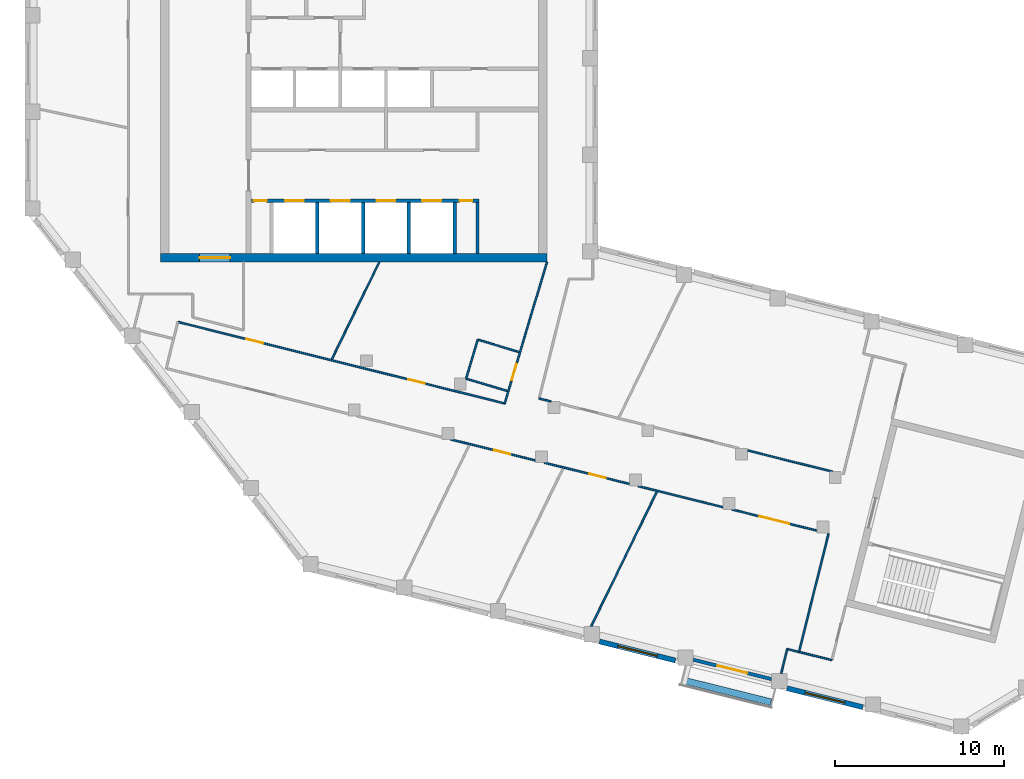
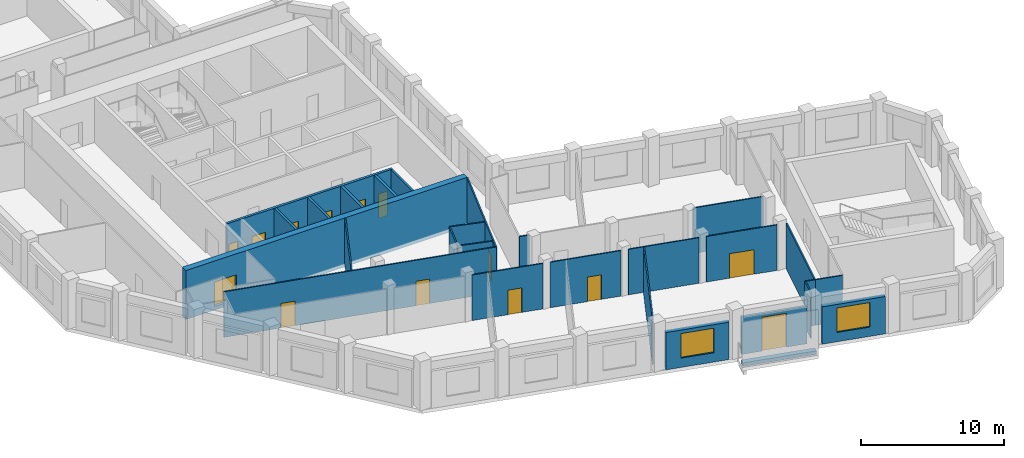
# One storey, part 3 of 8: 28 walls, 14 doors, 2 windows, 16 openings.
"""IFC4 building model written with IfcOpenShell, lengths in metres."""

from ifc_helpers import new_model, si_unit, direction, frame, frame_2d, origin, place, context, subcontext, project, spatial, rectangle, extrude, material, layer, layer_set, type_object, element, fill, save


model = new_model("IFC4")

# Units and contexts
model_context = context("Model", 3, precision=1e-05, world=origin(), true_north=direction((0.0, 1.0)))
body_context = subcontext(model_context, "Body", "Model", "MODEL_VIEW")
ifc_project = project(units=[si_unit("LENGTHUNIT", "METRE"), si_unit("AREAUNIT", "SQUARE_METRE"), si_unit("VOLUMEUNIT", "CUBIC_METRE"), si_unit("PLANEANGLEUNIT", "RADIAN"), si_unit("MASSUNIT", "GRAM", prefix="KILO")], contexts=[model_context])

# Site, building, storey
site_placement = place(None, origin())
site = spatial("IfcSite", under=ifc_project, at=site_placement, CompositionType="ELEMENT")
building_placement = place(site_placement, origin())
building = spatial("IfcBuilding", under=site, at=building_placement, Name="Meshkara Civic Tower", CompositionType="ELEMENT")
storey_placement = place(building_placement, frame((0.0, 0.0, 366.60009765625)))
storey = spatial("IfcBuildingStorey", under=building, at=storey_placement, Name="L84", CompositionType="ELEMENT", Elevation=366.60009765625)

# Wall
ifc_material_1 = material(Name="Blockwork", Category="masonry")
ifc_layer_1 = layer(ifc_material_1, 0.14990234375)
ifc_layer_set_1 = layer_set([ifc_layer_1], Name="Core partition 150")
wall_type_1 = type_object("IfcWallType", Name="Core partition 150", PredefinedType="PARTITIONING", material=ifc_layer_set_1)
wall_1_placement = place(storey_placement, frame((26.699951171875, 14.60009765625, 0.0), z_axis=(0.0, 0.0, 1.0), x_axis=(0.0, 1.0, 0.0)))
element("IfcWall", 1, at=wall_1_placement, inside=storey, type_object=wall_type_1, Name="L84-C025", PredefinedType="PARTITIONING", context=body_context, shape_type="SweptSolid", body=[
    extrude(rectangle(XDim=3.0, YDim=0.14990234375, at=frame_2d((1.5, 0.0))), origin(), (0.0, 0.0, 1.0), 3.89990234375),
])

# Wall, opening, door
ifc_material_2 = material(Name="Concrete C50", Category="concrete")
ifc_layer_2 = layer(ifc_material_2, 0.5)
ifc_layer_set_2 = layer_set([ifc_layer_2], Name="Core ring wall 500 C50")
wall_type_2 = type_object("IfcWallType", Name="Core ring wall 500 C50", PredefinedType="SHEAR", material=ifc_layer_set_2)
wall_2_placement = place(storey_placement, frame((8.0, 14.35009765625, -0.300048828125), z_axis=(0.0, 0.0, 1.0), x_axis=(1.0, 0.0, 0.0)))
wall_2 = element("IfcWall", 2, at=wall_2_placement, inside=storey, type_object=wall_type_2, Name="L84-C001", PredefinedType="SHEAR", context=body_context, shape_type="SweptSolid", body=[
    extrude(rectangle(XDim=22.800048828125, YDim=0.5, at=frame_2d((11.39990234375, 0.0))), origin(), (0.0, 0.0, 1.0), 4.199951171875),
])
opening_1_placement = place(wall_2_placement, frame((2.300048828125, 0.0, 0.300048828125)))
opening_1 = element("IfcOpeningElement", 3, at=opening_1_placement, cuts=wall_2, Name="Opening L84-K023", PredefinedType="OPENING", context=body_context, shape_type="SweptSolid", body=[
    extrude(rectangle(XDim=1.800048828125, YDim=2.10009765625, at=frame_2d((0.89990234375, 1.050048828125))), frame((0.0, 0.260009765625, 0.0), z_axis=(0.0, -1.0, 0.0), x_axis=(1.0, 0.0, 0.0)), (0.0, 0.0, 1.0), 0.52001953125),
])
ifc_material_3 = material(Name="Fire-rated door leaf in steel frame", Category="steel")
door_type_1 = type_object("IfcDoorType", Name="Core double door 1800 EI 60", OperationType="DOUBLE_DOOR_SINGLE_SWING", PredefinedType="DOOR", material=ifc_material_3)
door_1_placement = place(opening_1_placement, origin())
door_1 = element("IfcDoor", 4, at=door_1_placement, inside=storey, type_object=door_type_1, Name="L84-K023", OperationType="DOUBLE_DOOR_SINGLE_SWING", OverallHeight=2.10009765625, OverallWidth=1.800048828125, PredefinedType="DOOR", context=body_context, shape_type="SweptSolid", body=[
    extrude(rectangle(XDim=1.800048828125, YDim=2.10009765625, at=frame_2d((0.89990234375, 1.050048828125))), frame((0.0, 0.02490234375, 0.0), z_axis=(0.0, -1.0, 0.0), x_axis=(1.0, 0.0, 0.0)), (0.0, 0.0, 1.0), 0.050048828125),
])
fill(opening_1, door_1)

# Wall, openings, doors
ifc_material_4 = material(Name="Corridor wall 100")
ifc_layer_3 = layer(ifc_material_4, 0.10009765625)
ifc_layer_set_3 = layer_set([ifc_layer_3], Name="Corridor wall 100")
wall_type_3 = type_object("IfcWallType", Name="Corridor wall 100", PredefinedType="PARTITIONING", material=ifc_layer_set_3)
wall_3_placement = place(storey_placement, frame((9.01708984375, 10.55810546875, 0.0), z_axis=(0.0, 0.0, 1.0), x_axis=(0.970297621765, -0.241914293082, 0.0)))
wall_3 = element("IfcWall", 5, at=wall_3_placement, inside=storey, type_object=wall_type_3, Name="L84-W007", PredefinedType="PARTITIONING", context=body_context, shape_type="SweptSolid", body=[
    extrude(rectangle(XDim=19.87939453125, YDim=0.10009765625, at=frame_2d((9.939697265625, 0.0))), origin(), (0.0, 0.0, 1.0), 3.89990234375),
])
opening_2_placement = place(wall_3_placement, frame((4.179931640625, 0.0, 0.0)))
opening_2 = element("IfcOpeningElement", 6, at=opening_2_placement, cuts=wall_3, Name="Opening L84-D007", PredefinedType="OPENING", context=body_context, shape_type="SweptSolid", body=[
    extrude(rectangle(XDim=1.0, YDim=2.10009765625, at=frame_2d((0.5, 1.050048828125))), frame((0.0, 0.06005859375, 0.0), z_axis=(0.0, -1.0, 0.0), x_axis=(1.0, 0.0, 0.0)), (0.0, 0.0, 1.0), 0.1201171875),
])
opening_3_placement = place(wall_3_placement, frame((14.01806640625, 0.0, 0.0)))
opening_3 = element("IfcOpeningElement", 7, at=opening_3_placement, cuts=wall_3, Name="Opening L84-D009", PredefinedType="OPENING", context=body_context, shape_type="SweptSolid", body=[
    extrude(rectangle(XDim=1.0, YDim=2.10009765625, at=frame_2d((0.5, 1.050048828125))), frame((0.0, 0.06005859375, 0.0), z_axis=(0.0, -1.0, 0.0), x_axis=(1.0, 0.0, 0.0)), (0.0, 0.0, 1.0), 0.1201171875),
])
ifc_material_5 = material(Name="Door 1000 x 2100")
door_type_2 = type_object("IfcDoorType", Name="Door 1000 x 2100", OperationType="SINGLE_SWING_LEFT", PredefinedType="DOOR", material=ifc_material_5)
door_2_placement = place(opening_2_placement, origin())
door_2 = element("IfcDoor", 8, at=door_2_placement, inside=storey, type_object=door_type_2, Name="L84-D007", OperationType="SINGLE_SWING_RIGHT", OverallHeight=2.10009765625, OverallWidth=1.0, PredefinedType="DOOR", context=body_context, shape_type="SweptSolid", body=[
    extrude(rectangle(XDim=1.0, YDim=2.10009765625, at=frame_2d((0.5, 1.050048828125))), frame((0.0, 0.02490234375, 0.0), z_axis=(0.0, -1.0, 0.0), x_axis=(1.0, 0.0, 0.0)), (0.0, 0.0, 1.0), 0.050048828125),
])
fill(opening_2, door_2)
door_3_placement = place(opening_3_placement, origin())
door_3 = element("IfcDoor", 9, at=door_3_placement, inside=storey, type_object=door_type_2, Name="L84-D009", OperationType="SINGLE_SWING_LEFT", OverallHeight=2.10009765625, OverallWidth=1.0, PredefinedType="DOOR", context=body_context, shape_type="SweptSolid", body=[
    extrude(rectangle(XDim=1.0, YDim=2.10009765625, at=frame_2d((0.5, 1.050048828125))), frame((0.0, 0.02490234375, 0.0), z_axis=(0.0, -1.0, 0.0), x_axis=(1.0, 0.0, 0.0)), (0.0, 0.0, 1.0), 0.050048828125),
])
fill(opening_3, door_3)

# Wall, opening, door
wall_4_placement = place(storey_placement, frame((25.117919921875, 3.631103515625, 0.0), z_axis=(0.0, 0.0, 1.0), x_axis=(0.970281210621, -0.241980107272, 0.0)))
wall_4 = element("IfcWall", 10, at=wall_4_placement, inside=storey, type_object=wall_type_3, Name="L84-W019", PredefinedType="PARTITIONING", context=body_context, shape_type="SweptSolid", body=[
    extrude(rectangle(XDim=5.170654296875, YDim=0.10009765625, at=frame_2d((2.58544921875, 0.0))), origin(), (0.0, 0.0, 1.0), 3.89990234375),
])
opening_4_placement = place(wall_4_placement, frame((2.62890625, 0.0, 0.0)))
opening_4 = element("IfcOpeningElement", 11, at=opening_4_placement, cuts=wall_4, Name="Opening L84-D003", PredefinedType="OPENING", context=body_context, shape_type="SweptSolid", body=[
    extrude(rectangle(XDim=1.0, YDim=2.10009765625, at=frame_2d((0.5, 1.050048828125))), frame((0.0, 0.06005859375, 0.0), z_axis=(0.0, -1.0, 0.0), x_axis=(1.0, 0.0, 0.0)), (0.0, 0.0, 1.0), 0.1201171875),
])
door_4_placement = place(opening_4_placement, origin())
door_4 = element("IfcDoor", 12, at=door_4_placement, inside=storey, type_object=door_type_2, Name="L84-D003", OperationType="SINGLE_SWING_RIGHT", OverallHeight=2.10009765625, OverallWidth=1.0, PredefinedType="DOOR", context=body_context, shape_type="SweptSolid", body=[
    extrude(rectangle(XDim=1.0, YDim=2.10009765625, at=frame_2d((0.5, 1.050048828125))), frame((0.0, 0.02490234375, 0.0), z_axis=(0.0, -1.0, 0.0), x_axis=(1.0, 0.0, 0.0)), (0.0, 0.0, 1.0), 0.050048828125),
])
fill(opening_4, door_4)

wall_5_placement = place(storey_placement, frame((28.305908203125, 5.7490234375, 0.0), z_axis=(0.0, 0.0, 1.0), x_axis=(0.286170650389, 0.958178667502, 0.0)))
wall_5 = element("IfcWall", 13, at=wall_5_placement, inside=storey, type_object=wall_type_3, Name="L84-W020", PredefinedType="PARTITIONING", context=body_context, shape_type="SweptSolid", body=[
    extrude(rectangle(XDim=8.715576171875, YDim=0.10009765625, at=frame_2d((4.35791015625, 0.0))), origin(), (0.0, 0.0, 1.0), 3.89990234375),
])
opening_5_placement = place(wall_5_placement, frame((1.429931640625, 0.0, 0.0)))
opening_5 = element("IfcOpeningElement", 14, at=opening_5_placement, cuts=wall_5, Name="Opening L84-D010", PredefinedType="OPENING", context=body_context, shape_type="SweptSolid", body=[
    extrude(rectangle(XDim=1.0, YDim=2.10009765625, at=frame_2d((0.5, 1.050048828125))), frame((0.0, 0.06005859375, 0.0), z_axis=(0.0, -1.0, 0.0), x_axis=(1.0, 0.0, 0.0)), (0.0, 0.0, 1.0), 0.1201171875),
])
door_5_placement = place(opening_5_placement, origin())
door_5 = element("IfcDoor", 15, at=door_5_placement, inside=storey, type_object=door_type_2, Name="L84-D010", OperationType="SINGLE_SWING_LEFT", OverallHeight=2.10009765625, OverallWidth=1.0, PredefinedType="DOOR", context=body_context, shape_type="SweptSolid", body=[
    extrude(rectangle(XDim=1.0, YDim=2.10009765625, at=frame_2d((0.5, 1.050048828125))), frame((0.0, 0.02490234375, 0.0), z_axis=(0.0, -1.0, 0.0), x_axis=(1.0, 0.0, 0.0)), (0.0, 0.0, 1.0), 0.050048828125),
])
fill(opening_5, door_5)

wall_6_placement = place(storey_placement, frame((30.64892578125, 2.251953125, 0.0), z_axis=(0.0, 0.0, 1.0), x_axis=(0.970292295429, -0.241935655561, 0.0)))
wall_6 = element("IfcWall", 16, at=wall_6_placement, inside=storey, type_object=wall_type_3, Name="L84-W022", PredefinedType="PARTITIONING", context=body_context, shape_type="SweptSolid", body=[
    extrude(rectangle(XDim=5.170654296875, YDim=0.10009765625, at=frame_2d((2.58544921875, 0.0))), origin(), (0.0, 0.0, 1.0), 3.89990234375),
])
opening_6_placement = place(wall_6_placement, frame((2.72900390625, 0.0, 0.0)))
opening_6 = element("IfcOpeningElement", 17, at=opening_6_placement, cuts=wall_6, Name="Opening L84-D005", PredefinedType="OPENING", context=body_context, shape_type="SweptSolid", body=[
    extrude(rectangle(XDim=1.0, YDim=2.10009765625, at=frame_2d((0.5, 1.050048828125))), frame((0.0, 0.06005859375, 0.0), z_axis=(0.0, -1.0, 0.0), x_axis=(1.0, 0.0, 0.0)), (0.0, 0.0, 1.0), 0.1201171875),
])
door_6_placement = place(opening_6_placement, origin())
door_6 = element("IfcDoor", 18, at=door_6_placement, inside=storey, type_object=door_type_2, Name="L84-D005", OperationType="SINGLE_SWING_LEFT", OverallHeight=2.10009765625, OverallWidth=1.0, PredefinedType="DOOR", context=body_context, shape_type="SweptSolid", body=[
    extrude(rectangle(XDim=1.0, YDim=2.10009765625, at=frame_2d((0.5, 1.050048828125))), frame((0.0, 0.02490234375, 0.0), z_axis=(0.0, -1.0, 0.0), x_axis=(1.0, 0.0, 0.0)), (0.0, 0.0, 1.0), 0.050048828125),
])
fill(opening_6, door_6)

# Walls
wall_7_placement = place(storey_placement, frame((31.0458984375, 5.863037109375, 0.0), z_axis=(0.0, 0.0, 1.0), x_axis=(-0.970299315901, 0.241907497946, 0.0)))
element("IfcWall", 19, at=wall_7_placement, inside=storey, type_object=wall_type_3, Name="L84-W024", PredefinedType="PARTITIONING", context=body_context, shape_type="SweptSolid", body=[
    extrude(rectangle(XDim=0.731689453125, YDim=0.10009765625, at=frame_2d((0.36572265625, 0.0))), origin(), (0.0, 0.0, 1.0), 3.89990234375),
])
wall_8_placement = place(storey_placement, frame((36.179931640625, 0.873046875, 0.0), z_axis=(0.0, 0.0, 1.0), x_axis=(0.970325574738, -0.241802148479, 0.0)))
element("IfcWall", 20, at=wall_8_placement, inside=storey, type_object=wall_type_3, Name="L84-W028", PredefinedType="PARTITIONING", context=body_context, shape_type="SweptSolid", body=[
    extrude(rectangle(XDim=5.16943359375, YDim=0.10009765625, at=frame_2d((2.584716796875, 0.0))), origin(), (0.0, 0.0, 1.0), 3.89990234375),
])

# Wall, opening, door
wall_9_placement = place(storey_placement, frame((41.7119140625, -0.506103515625, 0.0), z_axis=(0.0, 0.0, 1.0), x_axis=(0.970314526579, -0.241846479217, 0.0)))
wall_9 = element("IfcWall", 21, at=wall_9_placement, inside=storey, type_object=wall_type_3, Name="L84-W029", PredefinedType="PARTITIONING", context=body_context, shape_type="SweptSolid", body=[
    extrude(rectangle(XDim=5.16845703125, YDim=0.10009765625, at=frame_2d((2.584228515625, 0.0))), origin(), (0.0, 0.0, 1.0), 3.89990234375),
])
opening_7_placement = place(wall_9_placement, frame((1.679931640625, 0.0, 0.0)))
opening_7 = element("IfcOpeningElement", 22, at=opening_7_placement, cuts=wall_9, Name="Opening L84-D002", PredefinedType="OPENING", context=body_context, shape_type="SweptSolid", body=[
    extrude(rectangle(XDim=1.800048828125, YDim=2.10009765625, at=frame_2d((0.89990234375, 1.050048828125))), frame((0.0, 0.06005859375, 0.0), z_axis=(0.0, -1.0, 0.0), x_axis=(1.0, 0.0, 0.0)), (0.0, 0.0, 1.0), 0.1201171875),
])
ifc_material_6 = material(Name="Door pair 1800 x 2100")
door_type_3 = type_object("IfcDoorType", Name="Door pair 1800 x 2100", OperationType="SINGLE_SWING_LEFT", PredefinedType="DOOR", material=ifc_material_6)
door_7_placement = place(opening_7_placement, origin())
door_7 = element("IfcDoor", 23, at=door_7_placement, inside=storey, type_object=door_type_3, Name="L84-D002", OperationType="DOUBLE_DOOR_SINGLE_SWING", OverallHeight=2.10009765625, OverallWidth=1.800048828125, PredefinedType="DOOR", context=body_context, shape_type="SweptSolid", body=[
    extrude(rectangle(XDim=1.800048828125, YDim=2.10009765625, at=frame_2d((0.89990234375, 1.050048828125))), frame((0.0, 0.02490234375, 0.0), z_axis=(0.0, -1.0, 0.0), x_axis=(1.0, 0.0, 0.0)), (0.0, 0.0, 1.0), 0.050048828125),
])
fill(opening_7, door_7)

# Walls
wall_10_placement = place(storey_placement, frame((45.669921875, -8.9130859375, 0.0), z_axis=(0.0, 0.0, 1.0), x_axis=(0.970307382734, -0.241875139301, 0.0)))
element("IfcWall", 24, at=wall_10_placement, inside=storey, type_object=wall_type_3, Name="L84-W031", PredefinedType="PARTITIONING", context=body_context, shape_type="SweptSolid", body=[
    extrude(rectangle(XDim=2.00048828125, YDim=0.10009765625, at=frame_2d((1.000244140625, 0.0))), origin(), (0.0, 0.0, 1.0), 3.89990234375),
])
wall_11_placement = place(storey_placement, frame((47.412109375, -1.927001953125, 0.0), z_axis=(0.0, 0.0, 1.0), x_axis=(-0.241969116819, -0.970283951483, 0.0)))
element("IfcWall", 25, at=wall_11_placement, inside=storey, type_object=wall_type_3, Name="L84-W032", PredefinedType="PARTITIONING", context=body_context, shape_type="SweptSolid", body=[
    extrude(rectangle(XDim=7.199951171875, YDim=0.10009765625, at=frame_2d((3.60009765625, 0.0))), origin(), (0.0, 0.0, 1.0), 3.89990234375),
])
wall_12_placement = place(storey_placement, frame((47.64111328125, 1.72607421875, 0.0), z_axis=(0.0, 0.0, 1.0), x_axis=(-0.97031439286, 0.241847015712, 0.0)))
element("IfcWall", 26, at=wall_12_placement, inside=storey, type_object=wall_type_3, Name="L84-W034", PredefinedType="PARTITIONING", context=body_context, shape_type="SweptSolid", body=[
    extrude(rectangle(XDim=5.172607421875, YDim=0.10009765625, at=frame_2d((2.58642578125, 0.0))), origin(), (0.0, 0.0, 1.0), 3.89990234375),
])

# Wall, opening, window
ifc_material_7 = material(Name="Insulated infill panel with bronze anodised aluminium cladding", Category="aluminium")
ifc_layer_4 = layer(ifc_material_7, 0.300048828125)
ifc_layer_set_4 = layer_set([ifc_layer_4], Name="EXTERNAL INFILL WALL 300")
wall_type_4 = type_object("IfcWallType", Name="EXTERNAL INFILL WALL 300", PredefinedType="SOLIDWALL", material=ifc_layer_set_4)
wall_13_placement = place(storey_placement, frame((33.89990234375, -8.298095703125, 0.0), z_axis=(0.0, 0.0, 1.0), x_axis=(0.970298093093, -0.241912402618, 0.0)))
wall_13 = element("IfcWall", 27, at=wall_13_placement, inside=storey, type_object=wall_type_4, Name="External wall", PredefinedType="SOLIDWALL", context=body_context, shape_type="SweptSolid", body=[
    extrude(rectangle(XDim=4.609130859375, YDim=0.300048828125, at=frame_2d((2.3046875, 0.0))), origin(), (0.0, 0.0, 1.0), 3.199951171875),
])
opening_8_placement = place(wall_13_placement, frame((1.10498046875, 0.0, 0.800048828125)))
opening_8 = element("IfcOpeningElement", 28, at=opening_8_placement, cuts=wall_13, Name="Opening W7", PredefinedType="OPENING", context=body_context, shape_type="SweptSolid", body=[
    extrude(rectangle(XDim=2.39990234375, YDim=2.10009765625, at=frame_2d((1.199951171875, 1.050048828125))), frame((0.0, 0.159912109375, 0.0), z_axis=(0.0, -1.0, 0.0), x_axis=(1.0, 0.0, 0.0)), (0.0, 0.0, 1.0), 0.320068359375),
])
ifc_material_8 = material(Name="Tinted double glazing", Category="glass")
window_type = type_object("IfcWindowType", Name="WINDOW 2400x2100", PartitioningType="DOUBLE_PANEL_VERTICAL", PredefinedType="WINDOW", material=ifc_material_8)
window_1_placement = place(opening_8_placement, origin())
window_1 = element("IfcWindow", 29, at=window_1_placement, inside=storey, type_object=window_type, Name="Window", OverallHeight=2.10009765625, OverallWidth=2.39990234375, PartitioningType="DOUBLE_PANEL_VERTICAL", PredefinedType="WINDOW", context=body_context, shape_type="SweptSolid", body=[
    extrude(rectangle(XDim=2.39990234375, YDim=2.10009765625, at=frame_2d((1.199951171875, 1.050048828125))), frame((0.0, 0.030029296875, 0.0), z_axis=(0.0, -1.0, 0.0), x_axis=(1.0, 0.0, 0.0)), (0.0, 0.0, 1.0), 0.06005859375),
])
fill(opening_8, window_1)

wall_14_placement = place(storey_placement, frame((44.9609375, -11.055908203125, 0.0), z_axis=(0.0, 0.0, 1.0), x_axis=(0.970298093093, -0.241912402618, 0.0)))
wall_14 = element("IfcWall", 30, at=wall_14_placement, inside=storey, type_object=wall_type_4, Name="External wall", PredefinedType="SOLIDWALL", context=body_context, shape_type="SweptSolid", body=[
    extrude(rectangle(XDim=4.609130859375, YDim=0.300048828125, at=frame_2d((2.3046875, 0.0))), origin(), (0.0, 0.0, 1.0), 3.199951171875),
])
opening_9_placement = place(wall_14_placement, frame((1.10498046875, 0.0, 0.800048828125)))
opening_9 = element("IfcOpeningElement", 31, at=opening_9_placement, cuts=wall_14, Name="Opening W7", PredefinedType="OPENING", context=body_context, shape_type="SweptSolid", body=[
    extrude(rectangle(XDim=2.39990234375, YDim=2.10009765625, at=frame_2d((1.199951171875, 1.050048828125))), frame((0.0, 0.159912109375, 0.0), z_axis=(0.0, -1.0, 0.0), x_axis=(1.0, 0.0, 0.0)), (0.0, 0.0, 1.0), 0.320068359375),
])
window_2_placement = place(opening_9_placement, origin())
window_2 = element("IfcWindow", 32, at=window_2_placement, inside=storey, type_object=window_type, Name="Window", OverallHeight=2.10009765625, OverallWidth=2.39990234375, PartitioningType="DOUBLE_PANEL_VERTICAL", PredefinedType="WINDOW", context=body_context, shape_type="SweptSolid", body=[
    extrude(rectangle(XDim=2.39990234375, YDim=2.10009765625, at=frame_2d((1.199951171875, 1.050048828125))), frame((0.0, 0.030029296875, 0.0), z_axis=(0.0, -1.0, 0.0), x_axis=(1.0, 0.0, 0.0)), (0.0, 0.0, 1.0), 0.06005859375),
])
fill(opening_9, window_2)

# Wall, opening, door
ifc_material_9 = material(Name="Insulated infill panel with bronze anodised aluminium cladding", Category="aluminium")
ifc_layer_5 = layer(ifc_material_9, 0.199951171875)
ifc_layer_set_5 = layer_set([ifc_layer_5], Name="LOGGIA BACK WALL 200")
wall_type_5 = type_object("IfcWallType", Name="LOGGIA BACK WALL 200", PredefinedType="SOLIDWALL", material=ifc_layer_set_5)
wall_15_placement = place(storey_placement, frame((39.424072265625, -9.365966796875, 0.0), z_axis=(0.0, 0.0, 1.0), x_axis=(0.9703108125, -0.241861380019, 0.0)))
wall_15 = element("IfcWall", 33, at=wall_15_placement, inside=storey, type_object=wall_type_5, Name="Loggia wall", PredefinedType="SOLIDWALL", context=body_context, shape_type="SweptSolid", body=[
    extrude(rectangle(XDim=4.771484375, YDim=0.199951171875, at=frame_2d((2.3857421875, 0.0))), origin(), (0.0, 0.0, 1.0), 3.199951171875),
])
opening_10_placement = place(wall_15_placement, frame((1.485107421875, 0.0, 0.0)))
opening_10 = element("IfcOpeningElement", 34, at=opening_10_placement, cuts=wall_15, Name="Opening L84-L002", PredefinedType="OPENING", context=body_context, shape_type="SweptSolid", body=[
    extrude(rectangle(XDim=1.800048828125, YDim=2.89990234375, at=frame_2d((0.89990234375, 1.449951171875))), frame((0.0, 0.10986328125, 0.0), z_axis=(0.0, -1.0, 0.0), x_axis=(1.0, 0.0, 0.0)), (0.0, 0.0, 1.0), 0.219970703125),
])
ifc_material_10 = material(Name="Tinted double glazing", Category="glass")
door_type_4 = type_object("IfcDoorType", Name="LOGGIA DOOR 1800x2900", OperationType="DOUBLE_DOOR_SINGLE_SWING", PredefinedType="DOOR", material=ifc_material_10)
door_8_placement = place(opening_10_placement, origin())
door_8 = element("IfcDoor", 35, at=door_8_placement, inside=storey, type_object=door_type_4, Name="L84-L002", OperationType="DOUBLE_DOOR_SINGLE_SWING", OverallHeight=2.89990234375, OverallWidth=1.800048828125, PredefinedType="DOOR", context=body_context, shape_type="SweptSolid", body=[
    extrude(rectangle(XDim=1.800048828125, YDim=2.89990234375, at=frame_2d((0.89990234375, 1.449951171875))), frame((0.0, 0.02490234375, 0.0), z_axis=(0.0, -1.0, 0.0), x_axis=(1.0, 0.0, 0.0)), (0.0, 0.0, 1.0), 0.050048828125),
])
fill(opening_10, door_8)

# Walls
ifc_material_11 = material(Name="Concrete C40", Category="concrete")
ifc_layer_6 = layer(ifc_material_11, 0.39990234375)
ifc_layer_set_6 = layer_set([ifc_layer_6], Name="PLANTER TRAY")
wall_type_6 = type_object("IfcWallType", Name="PLANTER TRAY", PredefinedType="SOLIDWALL", material=ifc_layer_set_6)
wall_16_placement = place(storey_placement, frame((38.81689453125, -10.5849609375, 0.0), z_axis=(0.0, 0.0, 1.0), x_axis=(0.970270982915, -0.242021114189, 0.0)))
element("IfcWall", 36, at=wall_16_placement, inside=storey, type_object=wall_type_6, Name="Planter", PredefinedType="SOLIDWALL", context=body_context, shape_type="SweptSolid", body=[
    extrude(rectangle(XDim=5.359619140625, YDim=0.39990234375, at=frame_2d((2.6796875, 0.0))), origin(), (0.0, 0.0, 1.0), 0.2998046875),
])
ifc_material_12 = material(Name="Partition 100")
ifc_layer_7 = layer(ifc_material_12, 0.10009765625)
ifc_layer_set_7 = layer_set([ifc_layer_7], Name="Partition 100")
wall_type_7 = type_object("IfcWallType", Name="Partition 100", PredefinedType="PARTITIONING", material=ifc_layer_set_7)
wall_17_placement = place(storey_placement, frame((18.10498046875, 8.35400390625, 0.0), z_axis=(0.0, 0.0, 1.0), x_axis=(0.438424384383, 0.898768078638, 0.0)))
element("IfcWall", 37, at=wall_17_placement, inside=storey, type_object=wall_type_7, Name="L84-W044", PredefinedType="PARTITIONING", context=body_context, shape_type="SweptSolid", body=[
    extrude(rectangle(XDim=6.393310546875, YDim=0.10009765625, at=frame_2d((3.19677734375, 0.0))), origin(), (0.0, 0.0, 1.0), 3.89990234375),
])
wall_18_placement = place(storey_placement, frame((26.030029296875, 7.214111328125, 0.0), z_axis=(0.0, 0.0, 1.0), x_axis=(0.286077381682, 0.958206518288, 0.0)))
element("IfcWall", 38, at=wall_18_placement, inside=storey, type_object=wall_type_7, Name="L84-W046", PredefinedType="PARTITIONING", context=body_context, shape_type="SweptSolid", body=[
    extrude(rectangle(XDim=2.398193359375, YDim=0.10009765625, at=frame_2d((1.19921875, 0.0))), origin(), (0.0, 0.0, 1.0), 3.89990234375),
])
wall_19_placement = place(storey_placement, frame((26.716064453125, 9.511962890625, 0.0), z_axis=(0.0, 0.0, 1.0), x_axis=(0.958168093169, -0.286206053804, 0.0)))
element("IfcWall", 39, at=wall_19_placement, inside=storey, type_object=wall_type_7, Name="L84-W047", PredefinedType="PARTITIONING", context=body_context, shape_type="SweptSolid", body=[
    extrude(rectangle(XDim=2.550537109375, YDim=0.10009765625, at=frame_2d((1.275390625, 0.0))), origin(), (0.0, 0.0, 1.0), 3.89990234375),
])
wall_20_placement = place(storey_placement, frame((28.472900390625, 6.48193359375, 0.0), z_axis=(0.0, 0.0, 1.0), x_axis=(-0.958136712348, 0.286311090338, 0.0)))
element("IfcWall", 40, at=wall_20_placement, inside=storey, type_object=wall_type_7, Name="L84-W049", PredefinedType="PARTITIONING", context=body_context, shape_type="SweptSolid", body=[
    extrude(rectangle(XDim=2.549560546875, YDim=0.10009765625, at=frame_2d((1.27490234375, 0.0))), origin(), (0.0, 0.0, 1.0), 3.89990234375),
])
wall_21_placement = place(storey_placement, frame((33.39697265625, -7.425048828125, 0.0), z_axis=(0.0, 0.0, 1.0), x_axis=(0.43833946726, 0.898809496747, 0.0)))
element("IfcWall", 41, at=wall_21_placement, inside=storey, type_object=wall_type_7, Name="L84-W050", PredefinedType="PARTITIONING", context=body_context, shape_type="SweptSolid", body=[
    extrude(rectangle(XDim=8.858642578125, YDim=0.10009765625, at=frame_2d((4.42919921875, 0.0))), origin(), (0.0, 0.0, 1.0), 3.89990234375),
])
wall_22_placement = place(storey_placement, frame((44.616943359375, -10.18310546875, 0.0), z_axis=(0.0, 0.0, 1.0), x_axis=(0.242110761362, 0.970248617228, 0.0)))
element("IfcWall", 42, at=wall_22_placement, inside=storey, type_object=wall_type_7, Name="L84-W052", PredefinedType="PARTITIONING", context=body_context, shape_type="SweptSolid", body=[
    extrude(rectangle(XDim=1.4873046875, YDim=0.10009765625, at=frame_2d((0.74365234375, 0.0))), origin(), (0.0, 0.0, 1.0), 3.89990234375),
])
wall_23_placement = place(storey_placement, frame((44.97705078125, -8.739990234375, 0.0), z_axis=(0.0, 0.0, 1.0), x_axis=(0.970202439735, -0.242295740641, 0.0)))
element("IfcWall", 43, at=wall_23_placement, inside=storey, type_object=wall_type_7, Name="L84-W053", PredefinedType="PARTITIONING", context=body_context, shape_type="SweptSolid", body=[
    extrude(rectangle(XDim=0.718505859375, YDim=0.10009765625, at=frame_2d((0.359375, 0.0))), origin(), (0.0, 0.0, 1.0), 3.89990234375),
])

# Wall, openings, doors
ifc_material_13 = material(Name="Concrete C40/50", Category="concrete")
ifc_layer_8 = layer(ifc_material_13, 0.199951171875)
ifc_layer_set_8 = layer_set([ifc_layer_8], Name="Shaft wall 200 C40/50")
wall_type_8 = type_object("IfcWallType", Name="Shaft wall 200 C40/50", PredefinedType="SOLIDWALL", material=ifc_layer_set_8)
wall_24_placement = place(storey_placement, frame((13.35009765625, 17.699951171875, 0.0), z_axis=(0.0, 0.0, 1.0), x_axis=(1.0, 0.0, 0.0)))
wall_24 = element("IfcWall", 44, at=wall_24_placement, inside=storey, type_object=wall_type_8, Name="L84-C005", PredefinedType="SOLIDWALL", context=body_context, shape_type="SweptSolid", body=[
    extrude(rectangle(XDim=13.4248046875, YDim=0.199951171875, at=frame_2d((6.71240234375, 0.0))), origin(), (0.0, 0.0, 1.0), 3.89990234375),
])
opening_11_placement = place(wall_24_placement, frame((2.0, 0.0, 0.0)))
opening_11 = element("IfcOpeningElement", 45, at=opening_11_placement, cuts=wall_24, Name="Opening L84-K001", PredefinedType="OPENING", context=body_context, shape_type="SweptSolid", body=[
    extrude(rectangle(XDim=1.10009765625, YDim=2.10009765625, at=frame_2d((0.550048828125, 1.050048828125))), frame((0.0, 0.10986328125, 0.0), z_axis=(0.0, -1.0, 0.0), x_axis=(1.0, 0.0, 0.0)), (0.0, 0.0, 1.0), 0.219970703125),
])
opening_12_placement = place(wall_24_placement, frame((4.699951171875, 0.0, 0.0)))
opening_12 = element("IfcOpeningElement", 46, at=opening_12_placement, cuts=wall_24, Name="Opening L84-K002", PredefinedType="OPENING", context=body_context, shape_type="SweptSolid", body=[
    extrude(rectangle(XDim=1.10009765625, YDim=2.10009765625, at=frame_2d((0.550048828125, 1.050048828125))), frame((0.0, 0.10986328125, 0.0), z_axis=(0.0, -1.0, 0.0), x_axis=(1.0, 0.0, 0.0)), (0.0, 0.0, 1.0), 0.219970703125),
])
opening_13_placement = place(wall_24_placement, frame((7.39990234375, 0.0, 0.0)))
opening_13 = element("IfcOpeningElement", 47, at=opening_13_placement, cuts=wall_24, Name="Opening L84-K003", PredefinedType="OPENING", context=body_context, shape_type="SweptSolid", body=[
    extrude(rectangle(XDim=1.10009765625, YDim=2.10009765625, at=frame_2d((0.550048828125, 1.050048828125))), frame((0.0, 0.10986328125, 0.0), z_axis=(0.0, -1.0, 0.0), x_axis=(1.0, 0.0, 0.0)), (0.0, 0.0, 1.0), 0.219970703125),
])
opening_14_placement = place(wall_24_placement, frame((10.10009765625, 0.0, 0.0)))
opening_14 = element("IfcOpeningElement", 48, at=opening_14_placement, cuts=wall_24, Name="Opening L84-K004", PredefinedType="OPENING", context=body_context, shape_type="SweptSolid", body=[
    extrude(rectangle(XDim=1.10009765625, YDim=2.10009765625, at=frame_2d((0.550048828125, 1.050048828125))), frame((0.0, 0.10986328125, 0.0), z_axis=(0.0, -1.0, 0.0), x_axis=(1.0, 0.0, 0.0)), (0.0, 0.0, 1.0), 0.219970703125),
])
opening_15_placement = place(wall_24_placement, frame((0.14990234375, 0.0, 0.0)))
opening_15 = element("IfcOpeningElement", 49, at=opening_15_placement, cuts=wall_24, Name="Opening L84-K009", PredefinedType="OPENING", context=body_context, shape_type="SweptSolid", body=[
    extrude(rectangle(XDim=0.75, YDim=2.10009765625, at=frame_2d((0.375, 1.050048828125))), frame((0.0, 0.10986328125, 0.0), z_axis=(0.0, -1.0, 0.0), x_axis=(1.0, 0.0, 0.0)), (0.0, 0.0, 1.0), 0.219970703125),
])
opening_16_placement = place(wall_24_placement, frame((12.300048828125, 0.0, 0.0)))
opening_16 = element("IfcOpeningElement", 50, at=opening_16_placement, cuts=wall_24, Name="Opening L84-K010", PredefinedType="OPENING", context=body_context, shape_type="SweptSolid", body=[
    extrude(rectangle(XDim=0.75, YDim=2.10009765625, at=frame_2d((0.375, 1.050048828125))), frame((0.0, 0.10986328125, 0.0), z_axis=(0.0, -1.0, 0.0), x_axis=(1.0, 0.0, 0.0)), (0.0, 0.0, 1.0), 0.219970703125),
])
ifc_material_14 = material(Name="Timber door leaf in steel frame", Category="steel")
door_type_5 = type_object("IfcDoorType", Name="Core room door 750", OperationType="SINGLE_SWING_LEFT", PredefinedType="DOOR", material=ifc_material_14)
door_9_placement = place(opening_15_placement, origin())
door_9 = element("IfcDoor", 51, at=door_9_placement, inside=storey, type_object=door_type_5, Name="L84-K009", OperationType="SINGLE_SWING_RIGHT", OverallHeight=2.10009765625, OverallWidth=0.75, PredefinedType="DOOR", context=body_context, shape_type="SweptSolid", body=[
    extrude(rectangle(XDim=0.75, YDim=2.10009765625, at=frame_2d((0.375, 1.050048828125))), frame((0.0, 0.02490234375, 0.0), z_axis=(0.0, -1.0, 0.0), x_axis=(1.0, 0.0, 0.0)), (0.0, 0.0, 1.0), 0.050048828125),
])
fill(opening_15, door_9)
door_10_placement = place(opening_16_placement, origin())
door_10 = element("IfcDoor", 52, at=door_10_placement, inside=storey, type_object=door_type_5, Name="L84-K010", OperationType="SINGLE_SWING_RIGHT", OverallHeight=2.10009765625, OverallWidth=0.75, PredefinedType="DOOR", context=body_context, shape_type="SweptSolid", body=[
    extrude(rectangle(XDim=0.75, YDim=2.10009765625, at=frame_2d((0.375, 1.050048828125))), frame((0.0, 0.02490234375, 0.0), z_axis=(0.0, -1.0, 0.0), x_axis=(1.0, 0.0, 0.0)), (0.0, 0.0, 1.0), 0.050048828125),
])
fill(opening_16, door_10)
ifc_material_15 = material(Name="Stainless steel landing door", Category="steel")
door_type_6 = type_object("IfcDoorType", Name="Lift landing door 1100", OperationType="SLIDING_TO_LEFT", PredefinedType="DOOR", material=ifc_material_15)
door_11_placement = place(opening_11_placement, origin())
door_11 = element("IfcDoor", 53, at=door_11_placement, inside=storey, type_object=door_type_6, Name="L84-K001", OperationType="SLIDING_TO_LEFT", OverallHeight=2.10009765625, OverallWidth=1.10009765625, PredefinedType="DOOR", context=body_context, shape_type="SweptSolid", body=[
    extrude(rectangle(XDim=1.10009765625, YDim=2.10009765625, at=frame_2d((0.550048828125, 1.050048828125))), frame((0.0, 0.02490234375, 0.0), z_axis=(0.0, -1.0, 0.0), x_axis=(1.0, 0.0, 0.0)), (0.0, 0.0, 1.0), 0.050048828125),
])
fill(opening_11, door_11)
door_12_placement = place(opening_12_placement, origin())
door_12 = element("IfcDoor", 54, at=door_12_placement, inside=storey, type_object=door_type_6, Name="L84-K002", OperationType="SLIDING_TO_LEFT", OverallHeight=2.10009765625, OverallWidth=1.10009765625, PredefinedType="DOOR", context=body_context, shape_type="SweptSolid", body=[
    extrude(rectangle(XDim=1.10009765625, YDim=2.10009765625, at=frame_2d((0.550048828125, 1.050048828125))), frame((0.0, 0.02490234375, 0.0), z_axis=(0.0, -1.0, 0.0), x_axis=(1.0, 0.0, 0.0)), (0.0, 0.0, 1.0), 0.050048828125),
])
fill(opening_12, door_12)
door_13_placement = place(opening_13_placement, origin())
door_13 = element("IfcDoor", 55, at=door_13_placement, inside=storey, type_object=door_type_6, Name="L84-K003", OperationType="SLIDING_TO_LEFT", OverallHeight=2.10009765625, OverallWidth=1.10009765625, PredefinedType="DOOR", context=body_context, shape_type="SweptSolid", body=[
    extrude(rectangle(XDim=1.10009765625, YDim=2.10009765625, at=frame_2d((0.550048828125, 1.050048828125))), frame((0.0, 0.02490234375, 0.0), z_axis=(0.0, -1.0, 0.0), x_axis=(1.0, 0.0, 0.0)), (0.0, 0.0, 1.0), 0.050048828125),
])
fill(opening_13, door_13)
door_14_placement = place(opening_14_placement, origin())
door_14 = element("IfcDoor", 56, at=door_14_placement, inside=storey, type_object=door_type_6, Name="L84-K004", OperationType="SLIDING_TO_LEFT", OverallHeight=2.10009765625, OverallWidth=1.10009765625, PredefinedType="DOOR", context=body_context, shape_type="SweptSolid", body=[
    extrude(rectangle(XDim=1.10009765625, YDim=2.10009765625, at=frame_2d((0.550048828125, 1.050048828125))), frame((0.0, 0.02490234375, 0.0), z_axis=(0.0, -1.0, 0.0), x_axis=(1.0, 0.0, 0.0)), (0.0, 0.0, 1.0), 0.050048828125),
])
fill(opening_14, door_14)

# Walls
for number, where, z_axis, x_axis, name in (
    (57, (17.25, 14.60009765625, 0.0), (0.0, 0.0, 1.0), (0.0, 1.0, 0.0), "L84-C015"),
    (58, (19.949951171875, 14.60009765625, 0.0), (0.0, 0.0, 1.0), (0.0, 1.0, 0.0), "L84-C017"),
    (59, (22.64990234375, 14.60009765625, 0.0), (0.0, 0.0, 1.0), (0.0, 1.0, 0.0), "L84-C021"),
    (60, (25.35009765625, 14.60009765625, 0.0), (0.0, 0.0, 1.0), (0.0, 1.0, 0.0), "L84-C023"),
):
    element("IfcWall", number, at=place(storey_placement, frame(where, z_axis=z_axis, x_axis=x_axis)), inside=storey, type_object=wall_type_8, Name=name, PredefinedType="SOLIDWALL", context=body_context, shape_type="SweptSolid", body=[
        extrude(rectangle(XDim=3.0, YDim=0.199951171875, at=frame_2d((1.5, 0.0))), origin(), (0.0, 0.0, 1.0), 3.89990234375),
    ])

save(model, "model.ifc")
